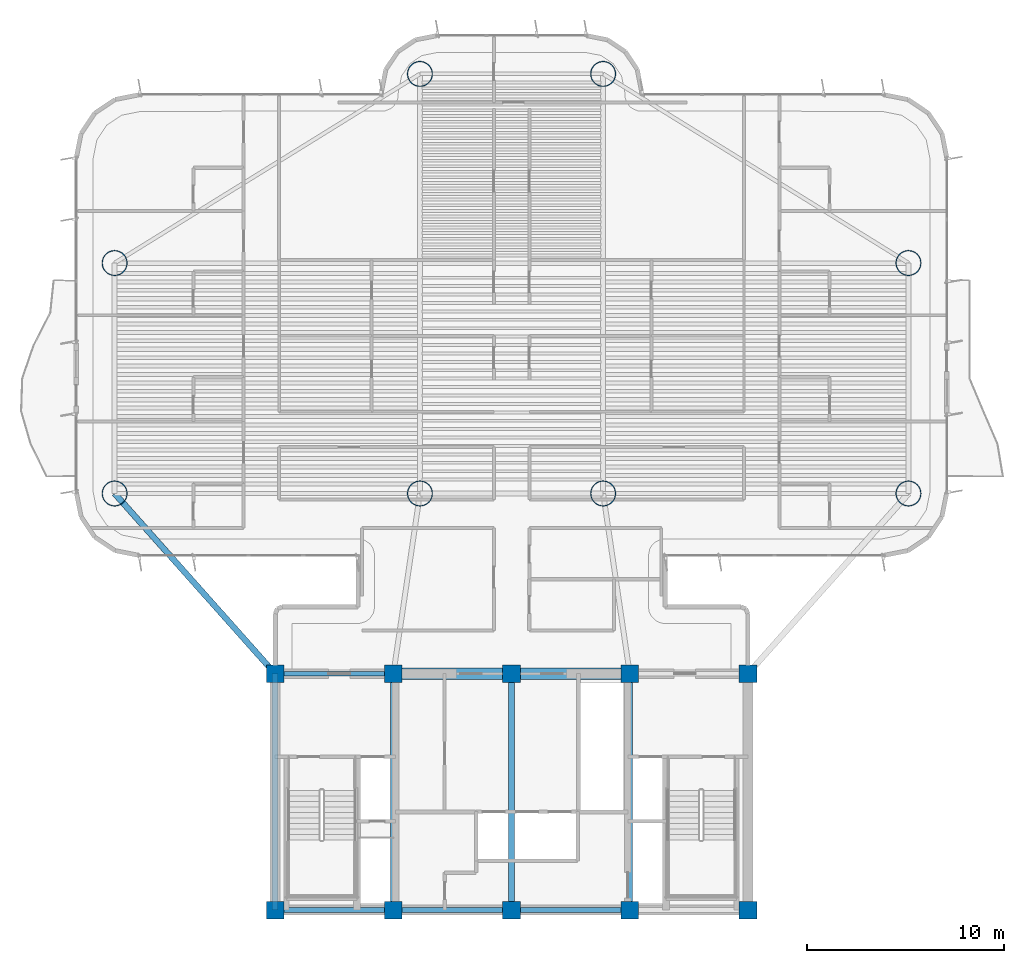
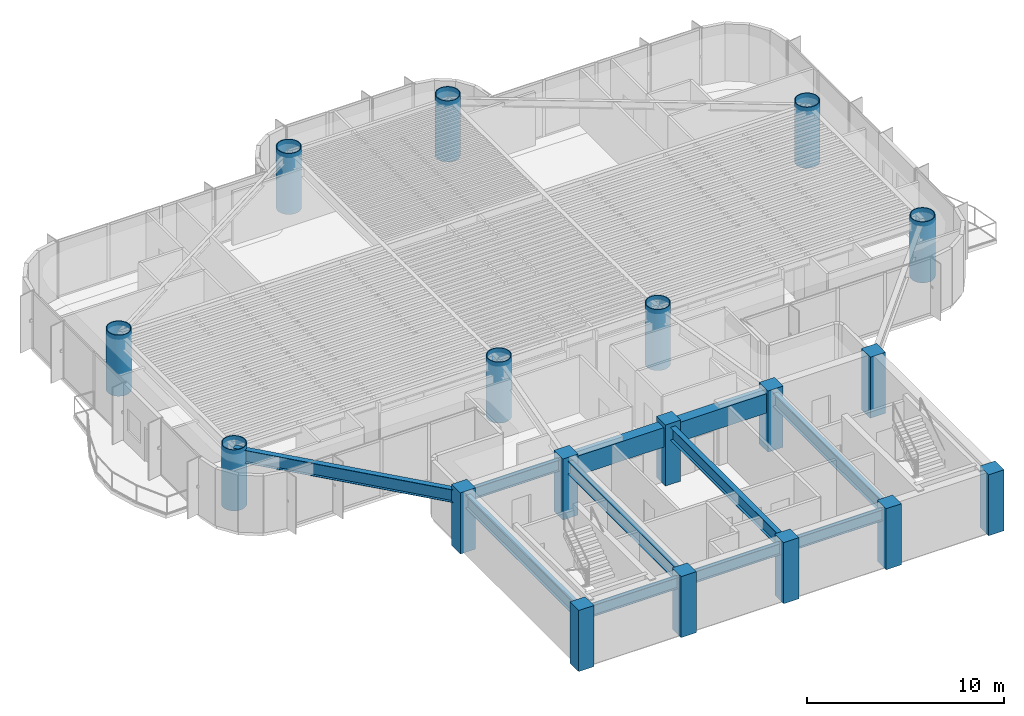
# One storey, part 1 of 17: 18 columns, 10 beams.
"""IFC4 building model written with IfcOpenShell, lengths in metres."""

from ifc_helpers import new_model, si_unit, direction, frame, origin, origin_2d, place, context, subcontext, project, spatial, rectangle, hollow_circle, i_section, extrude, source, transform, mapped, material, material_profile, profile_set, type_object, element, save


model = new_model("IFC4")

# Units and contexts
model_context = context("Model", 3, precision=1e-05, world=origin(), true_north=direction((0.0, 1.0)))
body_context = subcontext(model_context, "Body", "Model", "MODEL_VIEW")
ifc_project = project(units=[si_unit("LENGTHUNIT", "METRE"), si_unit("AREAUNIT", "SQUARE_METRE"), si_unit("VOLUMEUNIT", "CUBIC_METRE"), si_unit("PLANEANGLEUNIT", "RADIAN"), si_unit("MASSUNIT", "GRAM", prefix="KILO")], contexts=[model_context])

# Site, building, storey
site_placement = place(None, origin())
site = spatial("IfcSite", under=ifc_project, at=site_placement, CompositionType="ELEMENT")
building_placement = place(site_placement, origin())
building = spatial("IfcBuilding", under=site, at=building_placement, Name="Brelvock Crest Care Tower", CompositionType="ELEMENT")
storey_placement = place(building_placement, frame((0.0, 0.0, 127.6201171875)))
storey = spatial("IfcBuildingStorey", under=building, at=storey_placement, Name="L32", CompositionType="ELEMENT", Elevation=127.6201171875)

# Columns
ifc_material_1 = material(Name="Concrete S80 (80 MPa)", Category="concrete")
ifc_material_profile_1 = material_profile(ifc_material_1, rectangle(XDim=0.89990234375, YDim=0.89990234375, at=origin_2d()), Name="RC900x900")
ifc_profile_set_1 = profile_set([ifc_material_profile_1], Name="Concrete S80 (80 MPa)")
column_type_1 = type_object("IfcColumnType", Name="COL-RC2", PredefinedType="COLUMN", material=ifc_profile_set_1)
shared_shape_1 = source(origin(), body_context, "Body", "SweptSolid", [
    extrude(rectangle(XDim=0.89990234375, YDim=0.89990234375, at=origin_2d()), origin(), (0.0, 0.0, 1.0), 3.77978515625),
])
for number, where, z_axis, x_axis, name in (
    (1, (24.0, 6.0, 0.0), (0.0, 0.0, 1.0), (1.0, 0.0, 0.0), "L32 Core Column CC-01"),
    (2, (30.0, 6.0, 0.0), (0.0, 0.0, 1.0), (1.0, 0.0, 0.0), "L32 Core Column CC-02"),
    (3, (36.0, 6.0, 0.0), (0.0, 0.0, 1.0), (1.0, 0.0, 0.0), "L32 Core Column CC-03"),
    (4, (42.0, 6.0, 0.0), (0.0, 0.0, 1.0), (1.0, 0.0, 0.0), "L32 Core Column CC-04"),
    (5, (48.0, 6.0, 0.0), (0.0, 0.0, 1.0), (1.0, 0.0, 0.0), "L32 Core Column CC-05"),
    (6, (24.0, 18.0, 0.0), (0.0, 0.0, 1.0), (1.0, 0.0, 0.0), "L32 Core Column CC-06"),
    (7, (30.0, 18.0, 0.0), (0.0, 0.0, 1.0), (1.0, 0.0, 0.0), "L32 Core Column CC-07"),
    (8, (36.0, 18.0, 0.0), (0.0, 0.0, 1.0), (1.0, 0.0, 0.0), "L32 Core Column CC-08"),
    (9, (42.0, 18.0, 0.0), (0.0, 0.0, 1.0), (1.0, 0.0, 0.0), "L32 Core Column CC-09"),
    (10, (48.0, 18.0, 0.0), (0.0, 0.0, 1.0), (1.0, 0.0, 0.0), "L32 Core Column CC-10"),
):
    element("IfcColumn", number, at=place(storey_placement, frame(where, z_axis=z_axis, x_axis=x_axis)), inside=storey, type_object=column_type_1, Name=name, PredefinedType="COLUMN", context=body_context, shape_type="MappedRepresentation", body=[
        mapped(shared_shape_1, transform((0.0, 0.0, 0.0), x_axis=(1.0, 0.0, 0.0), y_axis=(0.0, 1.0, 0.0), z_axis=(0.0, 0.0, 1.0), scale=1.0)),
    ])
ifc_material_2 = material(Name="Steel Grade 350", Category="steel")
ifc_material_profile_2 = material_profile(ifc_material_2, hollow_circle(Radius=0.64990234375, WallThickness=0.044921875, at=origin_2d()), Name="CFT1300x45")
ifc_profile_set_2 = profile_set([ifc_material_profile_2], Name="Steel Grade 350")
column_type_2 = type_object("IfcColumnType", Name="COL-MC2", PredefinedType="COLUMN", material=ifc_profile_set_2)
shared_shape_2 = source(origin(), body_context, "Body", "SweptSolid", [
    extrude(hollow_circle(Radius=0.64990234375, WallThickness=0.044921875, at=origin_2d()), origin(), (0.0, 0.0, 1.0), 3.77978515625),
])
for number, where, z_axis, x_axis, name in (
    (11, (15.85009765625, 27.14990234375, 0.0), (0.0, 0.0, 1.0), (1.0, 0.0, 0.0), "L32 Tower Column M1"),
    (12, (15.85009765625, 38.85009765625, 0.0), (0.0, 0.0, 1.0), (1.0, 0.0, 0.0), "L32 Tower Column M2"),
    (13, (56.14990234375, 27.14990234375, 0.0), (0.0, 0.0, 1.0), (1.0, 0.0, 0.0), "L32 Tower Column M3"),
    (14, (56.14990234375, 38.85009765625, 0.0), (0.0, 0.0, 1.0), (1.0, 0.0, 0.0), "L32 Tower Column M4"),
    (15, (31.35009765625, 27.14990234375, 0.0), (0.0, 0.0, 1.0), (1.0, 0.0, 0.0), "L32 Tower Column M5"),
    (16, (40.64990234375, 27.14990234375, 0.0), (0.0, 0.0, 1.0), (1.0, 0.0, 0.0), "L32 Tower Column M6"),
    (17, (31.35009765625, 48.449951171875, 0.0), (0.0, 0.0, 1.0), (1.0, 0.0, 0.0), "L32 Tower Column M7"),
    (18, (40.64990234375, 48.449951171875, 0.0), (0.0, 0.0, 1.0), (1.0, 0.0, 0.0), "L32 Tower Column M8"),
):
    element("IfcColumn", number, at=place(storey_placement, frame(where, z_axis=z_axis, x_axis=x_axis)), inside=storey, type_object=column_type_2, Name=name, PredefinedType="COLUMN", context=body_context, shape_type="MappedRepresentation", body=[
        mapped(shared_shape_2, transform((0.0, 0.0, 0.0), x_axis=(1.0, 0.0, 0.0), y_axis=(0.0, 1.0, 0.0), z_axis=(0.0, 0.0, 1.0), scale=1.0)),
    ])

# Beams
ifc_material_profile_3 = material_profile(ifc_material_1, rectangle(XDim=0.60009765625, YDim=1.199951171875, at=origin_2d()), Name="RC600x1200")
ifc_profile_set_3 = profile_set([ifc_material_profile_3], Name="Concrete S80 (80 MPa)")
beam_type_1 = type_object("IfcBeamType", Name="BM-LN1", PredefinedType="LINTEL", material=ifc_profile_set_3)
shared_shape_3 = source(origin(), body_context, "Body", "SweptSolid", [
    extrude(rectangle(XDim=0.60009765625, YDim=1.199951171875, at=origin_2d()), origin(), (0.0, 0.0, 1.0), 12.0),
])
beam_1_placement = place(storey_placement, frame((30.0, 18.0, 2.929931640625), z_axis=(1.0, 0.0, 0.0), x_axis=(0.0, 1.0, 0.0)))
element("IfcBeam", 19, at=beam_1_placement, inside=storey, type_object=beam_type_1, Name="L32 Core Coupling Lintel Beam", PredefinedType="LINTEL", context=body_context, shape_type="MappedRepresentation", body=[
    mapped(shared_shape_3, transform((0.0, 0.0, 0.0), x_axis=(1.0, 0.0, 0.0), y_axis=(0.0, 1.0, 0.0), z_axis=(0.0, 0.0, 1.0), scale=1.0)),
])
ifc_material_profile_4 = material_profile(ifc_material_2, i_section(OverallWidth=0.25, OverallDepth=0.699951171875, WebThickness=0.011962890625, FlangeThickness=0.02001953125, at=origin_2d()), Name="700WB150")
ifc_profile_set_4 = profile_set([ifc_material_profile_4], Name="Steel Grade 350")
beam_type_2 = type_object("IfcBeamType", Name="BM-G4", PredefinedType="BEAM", material=ifc_profile_set_4)
shared_shape_4 = source(origin(), body_context, "Body", "SweptSolid", [
    extrude(i_section(OverallWidth=0.25, OverallDepth=0.699951171875, WebThickness=0.011962890625, FlangeThickness=0.02001953125, at=origin_2d()), origin(), (0.0, 0.0, 1.0), 6.0),
])
for number, where, z_axis, x_axis, name in (
    (20, (24.0, 6.0, 3.179931640625), (1.0, 0.0, 0.0), (0.0, 1.0, 0.0), "BM-CORES-L32-1"),
    (21, (24.0, 18.0, 3.179931640625), (1.0, 0.0, 0.0), (0.0, 1.0, 0.0), "BM-COREN-L32-1"),
    (22, (30.0, 6.0, 3.179931640625), (1.0, 0.0, 0.0), (0.0, 1.0, 0.0), "BM-CORES-L32-2"),
    (23, (36.0, 6.0, 3.179931640625), (1.0, 0.0, 0.0), (0.0, 1.0, 0.0), "BM-CORES-L32-3"),
):
    element("IfcBeam", number, at=place(storey_placement, frame(where, z_axis=z_axis, x_axis=x_axis)), inside=storey, type_object=beam_type_2, Name=name, PredefinedType="BEAM", context=body_context, shape_type="MappedRepresentation", body=[
        mapped(shared_shape_4, transform((0.0, 0.0, 0.0), x_axis=(1.0, 0.0, 0.0), y_axis=(0.0, 1.0, 0.0), z_axis=(0.0, 0.0, 1.0), scale=1.0)),
    ])
ifc_material_profile_5 = material_profile(ifc_material_2, i_section(OverallWidth=0.300048828125, OverallDepth=0.800048828125, WebThickness=0.013916015625, FlangeThickness=0.02197265625, at=origin_2d()), Name="800WB192")
ifc_profile_set_5 = profile_set([ifc_material_profile_5], Name="Steel Grade 350")
beam_type_3 = type_object("IfcBeamType", Name="BM-G5", PredefinedType="BEAM", material=ifc_profile_set_5)
shared_shape_5 = source(origin(), body_context, "Body", "SweptSolid", [
    extrude(i_section(OverallWidth=0.300048828125, OverallDepth=0.800048828125, WebThickness=0.013916015625, FlangeThickness=0.02197265625, at=origin_2d()), origin(), (0.0, 0.0, 1.0), 12.0),
])
for number, where, z_axis, x_axis, name in (
    (24, (24.0, 6.0, 3.1298828125), (0.0, 1.0, 0.0), (-1.0, 0.0, 0.0), "BM-COREX-L32-1"),
    (25, (30.0, 6.0, 3.1298828125), (0.0, 1.0, 0.0), (-1.0, 0.0, 0.0), "BM-COREX-L32-2"),
    (26, (36.0, 6.0, 3.1298828125), (0.0, 1.0, 0.0), (-1.0, 0.0, 0.0), "BM-COREX-L32-3"),
    (27, (42.0, 6.0, 3.1298828125), (0.0, 1.0, 0.0), (-1.0, 0.0, 0.0), "BM-COREX-L32-4"),
):
    element("IfcBeam", number, at=place(storey_placement, frame(where, z_axis=z_axis, x_axis=x_axis)), inside=storey, type_object=beam_type_3, Name=name, PredefinedType="BEAM", context=body_context, shape_type="MappedRepresentation", body=[
        mapped(shared_shape_5, transform((0.0, 0.0, 0.0), x_axis=(1.0, 0.0, 0.0), y_axis=(0.0, 1.0, 0.0), z_axis=(0.0, 0.0, 1.0), scale=1.0)),
    ])
shared_shape_6 = source(origin(), body_context, "Body", "SweptSolid", [
    extrude(i_section(OverallWidth=0.300048828125, OverallDepth=0.800048828125, WebThickness=0.013916015625, FlangeThickness=0.02197265625, at=origin_2d()), origin(), (0.0, 0.0, 1.0), 12.253173828125),
])
beam_2_placement = place(storey_placement, frame((24.0, 18.0, 3.1298828125), z_axis=(-0.665122829149, 0.746733970129, 0.0), x_axis=(-0.746733970129, -0.665122829149, 0.0)))
element("IfcBeam", 28, at=beam_2_placement, inside=storey, type_object=beam_type_3, Name="BM-THRO-W-L32", PredefinedType="BEAM", context=body_context, shape_type="MappedRepresentation", body=[
    mapped(shared_shape_6, transform((0.0, 0.0, 0.0), x_axis=(1.0, 0.0, 0.0), y_axis=(0.0, 1.0, 0.0), z_axis=(0.0, 0.0, 1.0), scale=1.0)),
])

save(model, "model.ifc")
